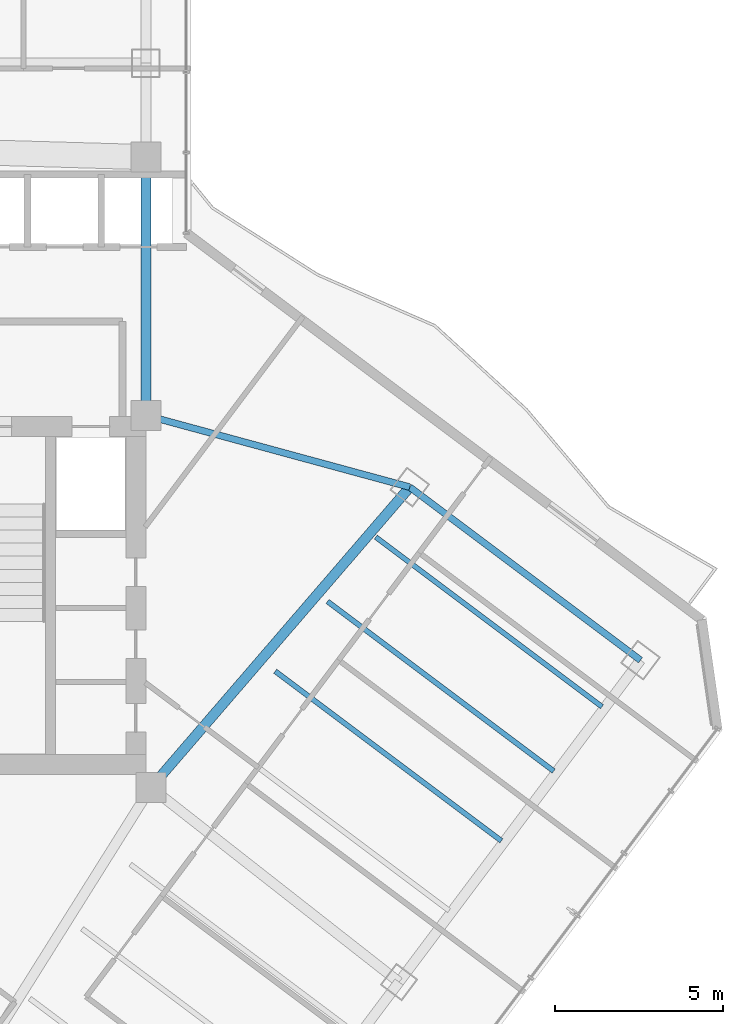
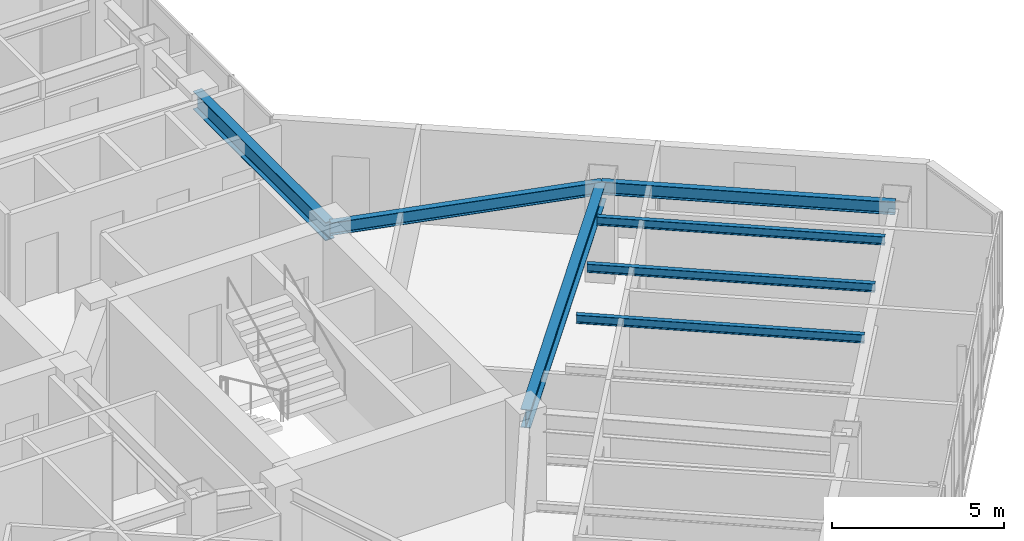
# One storey, part 14 of 29: 7 beams.
"""IFC4 building model written with IfcOpenShell, lengths in metres."""

from ifc_helpers import new_model, si_unit, direction, frame, origin, origin_2d, place, context, subcontext, project, spatial, i_section, extrude, material, material_profile, profile_set, type_object, element, save


model = new_model("IFC4")

# Units and contexts
model_context = context("Model", 3, precision=1e-05, world=origin(), true_north=direction((0.0, 1.0)))
body_context = subcontext(model_context, "Body", "Model", "MODEL_VIEW")
ifc_project = project(units=[si_unit("LENGTHUNIT", "METRE"), si_unit("AREAUNIT", "SQUARE_METRE"), si_unit("VOLUMEUNIT", "CUBIC_METRE"), si_unit("PLANEANGLEUNIT", "RADIAN"), si_unit("MASSUNIT", "GRAM", prefix="KILO")], contexts=[model_context])

# Site, building, storey
site_placement = place(None, origin())
site = spatial("IfcSite", under=ifc_project, at=site_placement, CompositionType="ELEMENT")
building_placement = place(site_placement, origin())
building = spatial("IfcBuilding", under=site, at=building_placement, Name="Hatsunagi Terrace Concourse", CompositionType="ELEMENT")
storey_placement = place(building_placement, frame((0.0, 0.0, 149.25)))
storey = spatial("IfcBuildingStorey", under=building, at=storey_placement, Name="L39", CompositionType="ELEMENT", Elevation=149.25)

# Beams
ifc_material_1 = material(Name="Steel SN490B", Category="steel")
ifc_material_profile_1 = material_profile(ifc_material_1, i_section(OverallWidth=0.14990234375, OverallDepth=0.300048828125, WebThickness=0.006591796875, FlangeThickness=0.009033203125, FilletRadius=0.010986328125, at=origin_2d()), Name="H-300x150x6.5x9")
ifc_profile_set_1 = profile_set([ifc_material_profile_1], Name="Steel SN490B")
beam_type_1 = type_object("IfcBeamType", Name="OfficeJoist_H_300x150", PredefinedType="JOIST", material=ifc_profile_set_1)
for number, where, z_axis, x_axis, name in (
    (1, (47.508056640625, 27.6689453125, 3.199951171875), (0.800003475366, -0.59999536615, 0.0), (0.59999536615, 0.800003475366, 0.0), "Beam J-03 J-L39-SE-2-168"),
    (2, (49.068115234375, 29.7490234375, 3.199951171875), (0.799989573921, -0.600013901187, 0.0), (0.600013901187, 0.799989573921, 0.0), "Beam J-03 J-L39-SE-2-194"),
    (3, (50.508056640625, 31.6689453125, 3.199951171875), (0.800003475366, -0.59999536615, 0.0), (0.59999536615, 0.800003475366, 0.0), "Beam J-03 J-L39-SE-2-218"),
):
    element("IfcBeam", number, at=place(storey_placement, frame(where, z_axis=z_axis, x_axis=x_axis)), inside=storey, type_object=beam_type_1, Name=name, PredefinedType="JOIST", context=body_context, shape_type="SweptSolid", body=[
        extrude(i_section(OverallWidth=0.14990234375, OverallDepth=0.300048828125, WebThickness=0.006591796875, FlangeThickness=0.009033203125, FilletRadius=0.010986328125, at=origin_2d()), origin(), (0.0, 0.0, 1.0), 8.429931640625),
    ])
ifc_material_2 = material(Name="Steel SN490B", Category="steel")
ifc_material_profile_2 = material_profile(ifc_material_2, i_section(OverallWidth=0.300048828125, OverallDepth=0.64990234375, WebThickness=0.012939453125, FlangeThickness=0.02197265625, FilletRadius=0.01806640625, at=origin_2d()), Name="H-650x300x13x22")
ifc_profile_set_2 = profile_set([ifc_material_profile_2], Name="Steel SN490B")
beam_type_2 = type_object("IfcBeamType", Name="OfficeLowGirder_H_650x300", PredefinedType="BEAM", material=ifc_profile_set_2)
beam_1_placement = place(storey_placement, frame((43.64990234375, 35.300048828125, 3.02490234375), z_axis=(0.0, 1.0, 0.0), x_axis=(-1.0, 0.0, 0.0)))
element("IfcBeam", 4, at=beam_1_placement, inside=storey, type_object=beam_type_2, Name="Beam G-05 BM-L39-CBK3", PredefinedType="BEAM", context=body_context, shape_type="SweptSolid", body=[
    extrude(i_section(OverallWidth=0.300048828125, OverallDepth=0.64990234375, WebThickness=0.012939453125, FlangeThickness=0.02197265625, FilletRadius=0.01806640625, at=origin_2d()), origin(), (0.0, 0.0, 1.0), 7.699951171875),
])
beam_2_placement = place(storey_placement, frame((43.800048828125, 24.199951171875, 3.02490234375), z_axis=(0.652739101421, 0.757582777969, 0.0), x_axis=(-0.757582777969, 0.652739101421, 0.0)))
element("IfcBeam", 5, at=beam_2_placement, inside=storey, type_object=beam_type_2, Name="Beam G-05 BM-L39-SET-1B", PredefinedType="BEAM", context=body_context, shape_type="SweptSolid", body=[
    extrude(i_section(OverallWidth=0.300048828125, OverallDepth=0.64990234375, WebThickness=0.012939453125, FlangeThickness=0.02197265625, FilletRadius=0.01806640625, at=origin_2d()), origin(), (0.0, 0.0, 1.0), 11.8271484375),
])
ifc_material_3 = material(Name="Steel SN490B", Category="steel")
ifc_material_profile_3 = material_profile(ifc_material_3, i_section(OverallWidth=0.199951171875, OverallDepth=0.449951171875, WebThickness=0.009033203125, FlangeThickness=0.013916015625, FilletRadius=0.01611328125, at=origin_2d()), Name="H-450x200x9x14")
ifc_profile_set_3 = profile_set([ifc_material_profile_3], Name="Steel SN490B")
beam_type_3 = type_object("IfcBeamType", Name="PerimeterSpandrel_H_450x200", PredefinedType="SPANDREL", material=ifc_profile_set_3)
beam_3_placement = place(storey_placement, frame((43.64990234375, 35.300048828125, 3.125), z_axis=(0.964958359286, -0.262403057994, 0.0), x_axis=(0.262403057994, 0.964958359286, 0.0)))
element("IfcBeam", 6, at=beam_3_placement, inside=storey, type_object=beam_type_3, Name="Beam SP-02 BM-L39-SE-NE0", PredefinedType="SPANDREL", context=body_context, shape_type="SweptSolid", body=[
    extrude(i_section(OverallWidth=0.199951171875, OverallDepth=0.449951171875, WebThickness=0.009033203125, FlangeThickness=0.013916015625, FilletRadius=0.01611328125, at=origin_2d()), origin(), (0.0, 0.0, 1.0), 8.156005859375),
])
beam_4_placement = place(storey_placement, frame((51.52001953125, 33.159912109375, 3.125), z_axis=(0.8, -0.6, 0.0), x_axis=(0.6, 0.8, 0.0)))
element("IfcBeam", 7, at=beam_4_placement, inside=storey, type_object=beam_type_3, Name="Beam SP-02 BM-L39-SE-NE2", PredefinedType="SPANDREL", context=body_context, shape_type="SweptSolid", body=[
    extrude(i_section(OverallWidth=0.199951171875, OverallDepth=0.449951171875, WebThickness=0.009033203125, FlangeThickness=0.013916015625, FilletRadius=0.01611328125, at=origin_2d()), origin(), (0.0, 0.0, 1.0), 8.599853515625),
])

save(model, "model.ifc")
